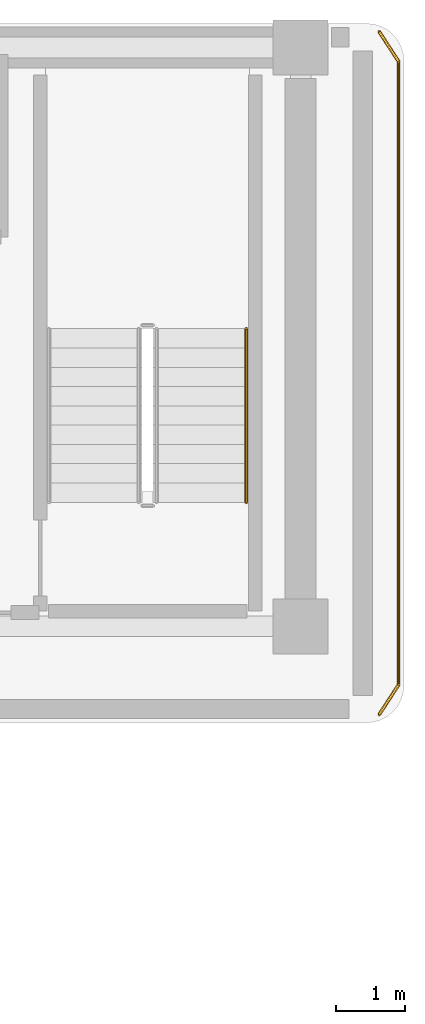
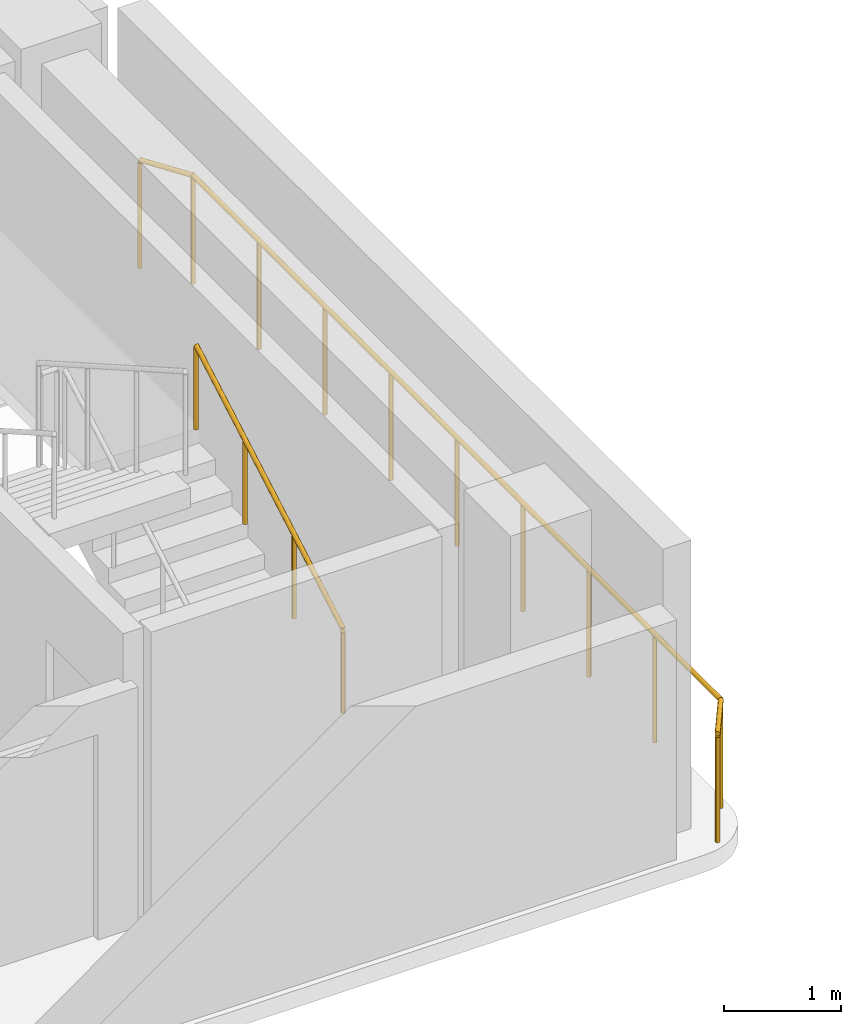
# One storey, part 6 of 6: 4 railings.
"""IFC4 building model written with IfcOpenShell, lengths in metres."""

from ifc_helpers import new_model, si_unit, direction, frame, origin, origin_2d, place, context, subcontext, project, spatial, circle, extrude, material, layer, layer_set, type_object, element, save


model = new_model("IFC4")

# Units and contexts
model_context = context("Model", 3, precision=1e-05, world=origin(), true_north=direction((0.0, 1.0)))
body_context = subcontext(model_context, "Body", "Model", "MODEL_VIEW")
ifc_project = project(units=[si_unit("LENGTHUNIT", "METRE"), si_unit("AREAUNIT", "SQUARE_METRE"), si_unit("VOLUMEUNIT", "CUBIC_METRE"), si_unit("PLANEANGLEUNIT", "RADIAN"), si_unit("MASSUNIT", "GRAM", prefix="KILO")], contexts=[model_context])

# Site, building, storey
site_placement = place(None, origin())
site = spatial("IfcSite", under=ifc_project, at=site_placement, CompositionType="ELEMENT")
building_placement = place(site_placement, origin())
building = spatial("IfcBuilding", under=site, at=building_placement, Name="Kuzgunbayir Cultural Tower", CompositionType="ELEMENT")
storey_placement = place(building_placement, frame((0.0, 0.0, 218.39990234375)))
storey = spatial("IfcBuildingStorey", under=building, at=storey_placement, Name="L64", CompositionType="ELEMENT", Elevation=218.39990234375)

# Railings
ifc_material_1 = material(Name="Laminated Glass and Stainless Steel", Category="steel")
ifc_layer_1 = layer(ifc_material_1, 0.080078125)
ifc_layer_set_1 = layer_set([ifc_layer_1], Name="Laminated Glass and Stainless Steel")
railing_type_1 = type_object("IfcRailingType", Name="RLG-BAL-115", PredefinedType="BALUSTRADE", material=ifc_layer_set_1)
railing_1_placement = place(storey_placement, frame((28.0400390625, 42.429931640625, 0.0)))
element("IfcRailing", 1, at=railing_1_placement, inside=storey, type_object=railing_type_1, Name="L64 Perimeter Edge Guard 1", PredefinedType="BALUSTRADE", context=body_context, shape_type="SweptSolid", body=[
    extrude(circle(Radius=0.02392578125, at=origin_2d()), frame((0.0, 0.0, 1.1259765625), z_axis=(0.545774188207, -0.837932297675, 0.0), x_axis=(0.837932297675, 0.545774188207, 0.0)), (0.0, 0.0, 1.0), 0.51318359375),
    extrude(circle(Radius=0.02099609375, at=origin_2d()), origin(), (0.0, 0.0, 1.0), 1.101806640625),
    extrude(circle(Radius=0.02099609375, at=origin_2d()), frame((0.280029296875, -0.429931640625, 0.0)), (0.0, 0.0, 1.0), 1.101806640625),
])
railing_2_placement = place(storey_placement, frame((28.320068359375, 42.0, 0.0)))
element("IfcRailing", 2, at=railing_2_placement, inside=storey, type_object=railing_type_1, Name="L64 Perimeter Edge Guard 2", PredefinedType="BALUSTRADE", context=body_context, shape_type="SweptSolid", body=[
    extrude(circle(Radius=0.02392578125, at=origin_2d()), frame((0.0, 0.0, 1.1259765625), z_axis=(0.0, -1.0, 0.0), x_axis=(1.0, 0.0, 0.0)), (0.0, 0.0, 1.0), 9.050048828125),
    extrude(circle(Radius=0.02099609375, at=origin_2d()), origin(), (0.0, 0.0, 1.0), 1.101806640625),
    extrude(circle(Radius=0.02099609375, at=origin_2d()), frame((0.0, -1.13134765625, 0.0)), (0.0, 0.0, 1.0), 1.101806640625),
    extrude(circle(Radius=0.02099609375, at=origin_2d()), frame((0.0, -2.262451171875, 0.0)), (0.0, 0.0, 1.0), 1.101806640625),
    extrude(circle(Radius=0.02099609375, at=origin_2d()), frame((0.0, -3.393798828125, 0.0)), (0.0, 0.0, 1.0), 1.101806640625),
    extrude(circle(Radius=0.02099609375, at=origin_2d()), frame((0.0, -4.52490234375, 0.0)), (0.0, 0.0, 1.0), 1.101806640625),
    extrude(circle(Radius=0.02099609375, at=origin_2d()), frame((0.0, -5.65625, 0.0)), (0.0, 0.0, 1.0), 1.101806640625),
    extrude(circle(Radius=0.02099609375, at=origin_2d()), frame((0.0, -6.78759765625, 0.0)), (0.0, 0.0, 1.0), 1.101806640625),
    extrude(circle(Radius=0.02099609375, at=origin_2d()), frame((0.0, -7.918701171875, 0.0)), (0.0, 0.0, 1.0), 1.101806640625),
    extrude(circle(Radius=0.02099609375, at=origin_2d()), frame((0.0, -9.050048828125, 0.0)), (0.0, 0.0, 1.0), 1.101806640625),
])
railing_3_placement = place(storey_placement, frame((28.320068359375, 32.949951171875, 0.0)))
element("IfcRailing", 3, at=railing_3_placement, inside=storey, type_object=railing_type_1, Name="L64 Perimeter Edge Guard 3", PredefinedType="BALUSTRADE", context=body_context, shape_type="SweptSolid", body=[
    extrude(circle(Radius=0.02392578125, at=origin_2d()), frame((0.0, 0.0, 1.1259765625), z_axis=(-0.545774188207, -0.837932297675, 0.0), x_axis=(0.837932297675, -0.545774188207, 0.0)), (0.0, 0.0, 1.0), 0.51318359375),
    extrude(circle(Radius=0.02099609375, at=origin_2d()), origin(), (0.0, 0.0, 1.0), 1.101806640625),
    extrude(circle(Radius=0.02099609375, at=origin_2d()), frame((-0.280029296875, -0.429931640625, 0.0)), (0.0, 0.0, 1.0), 1.101806640625),
])
ifc_material_2 = material(Name="Brushed Stainless Steel", Category="steel")
ifc_layer_2 = layer(ifc_material_2, 0.050048828125)
ifc_layer_set_2 = layer_set([ifc_layer_2], Name="Brushed Stainless Steel")
railing_type_2 = type_object("IfcRailingType", Name="RLG-STAIR-HANDRAIL", PredefinedType="HANDRAIL", material=ifc_layer_set_2)
railing_4_placement = place(storey_placement, frame((26.110107421875, 35.60009765625, 0.16015625)))
element("IfcRailing", 4, at=railing_4_placement, inside=storey, type_object=railing_type_2, Name="L64 ST-2 stair handrail 1", PredefinedType="HANDRAIL", context=body_context, shape_type="SweptSolid", body=[
    extrude(circle(Radius=0.02392578125, at=origin_2d()), frame((0.0, 0.0, 0.8759765625), z_axis=(0.0, 0.868253494771, 0.496120820787), x_axis=(-1.0, 0.0, 0.0)), (0.0, 0.0, 1.0), 2.90234375),
    extrude(circle(Radius=0.02099609375, at=origin_2d()), origin(), (0.0, 0.0, 1.0), 0.851806640625),
    extrude(circle(Radius=0.02099609375, at=origin_2d()), frame((0.0, 0.840087890625, 0.47998046875)), (0.0, 0.0, 1.0), 0.851806640625),
    extrude(circle(Radius=0.02099609375, at=origin_2d()), frame((0.0, 1.679931640625, 0.9599609375)), (0.0, 0.0, 1.0), 0.851806640625),
    extrude(circle(Radius=0.02099609375, at=origin_2d()), frame((0.0, 2.52001953125, 1.43994140625)), (0.0, 0.0, 1.0), 0.851806640625),
])

save(model, "model.ifc")
